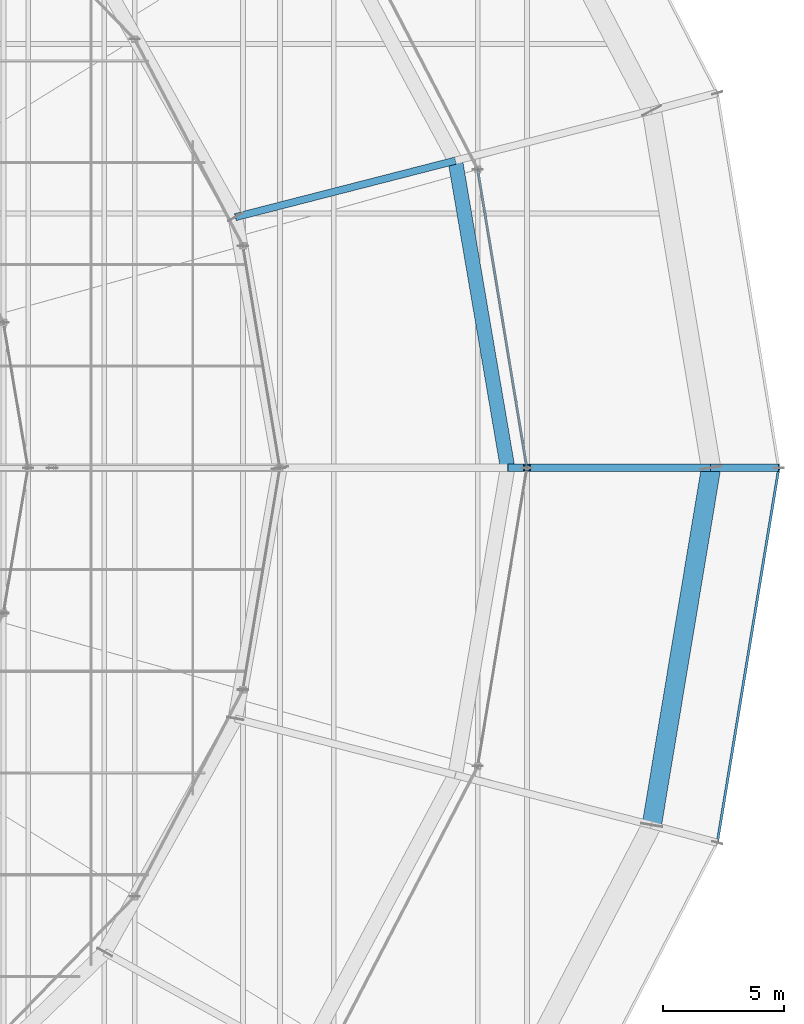
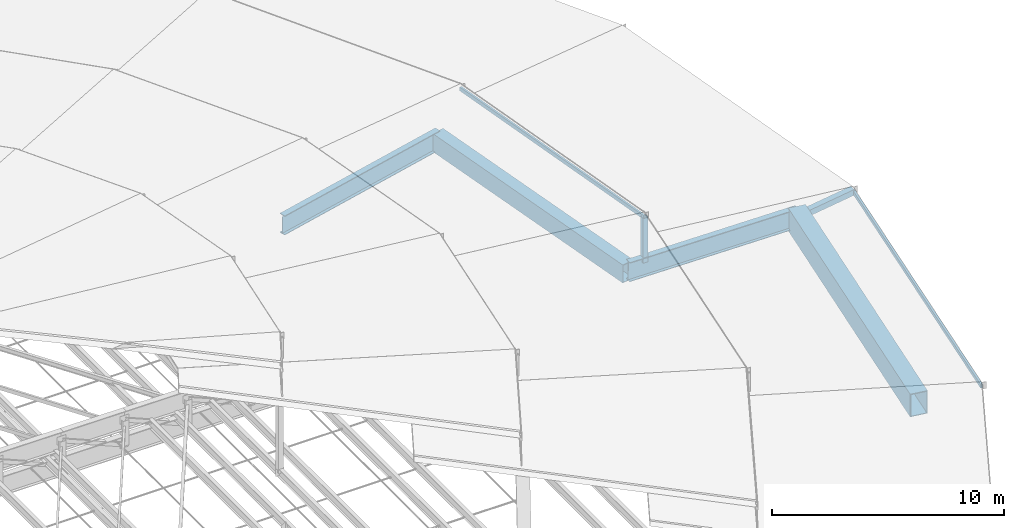
# One storey, part 132 of 184: 4 beams, 4 members.
"""IFC4 building model written with IfcOpenShell, lengths in metres."""

from ifc_helpers import new_model, si_unit, direction, frame, origin, origin_2d, place, context, subcontext, project, spatial, hollow_rectangle, i_section, extrude, material, material_profile, profile_set, type_object, element, save


model = new_model("IFC4")

# Units and contexts
model_context = context("Model", 3, precision=1e-05, world=origin(), true_north=direction((0.0, 1.0)))
body_context = subcontext(model_context, "Body", "Model", "MODEL_VIEW")
ifc_project = project(units=[si_unit("LENGTHUNIT", "METRE"), si_unit("AREAUNIT", "SQUARE_METRE"), si_unit("VOLUMEUNIT", "CUBIC_METRE"), si_unit("PLANEANGLEUNIT", "RADIAN"), si_unit("MASSUNIT", "GRAM", prefix="KILO")], contexts=[model_context])

# Site, building, storey
site_placement = place(None, origin())
site = spatial("IfcSite", under=ifc_project, at=site_placement, CompositionType="ELEMENT")
building_placement = place(site_placement, origin())
building = spatial("IfcBuilding", under=site, at=building_placement, Name="Kalgoora Escarpment Arena", CompositionType="ELEMENT")
storey_placement = place(building_placement, frame((0.0, 0.0, 27.60009765625)))
storey = spatial("IfcBuildingStorey", under=building, at=storey_placement, Name="Roof Level", CompositionType="ELEMENT", Elevation=27.60009765625)

# Beams
ifc_material_1 = material(Name="Structural steel Grade 350 (350 MPa)", Category="steel")
ifc_material_profile_1 = material_profile(ifc_material_1, hollow_rectangle(XDim=0.800048828125, YDim=1.199951171875, WallThickness=0.031982421875, at=origin_2d()))
ifc_profile_set_1 = profile_set([ifc_material_profile_1], Name="Structural steel Grade 350 (350 MPa)")
beam_type_1 = type_object("IfcBeamType", Name="BM-RING-BOX1200", PredefinedType="USERDEFINED", material=ifc_profile_set_1)
beam_1_placement = place(storey_placement, frame((161.75341796875, 49.247314453125, -1.4501953125), z_axis=(0.163602052226, 0.986526415514, 0.0), x_axis=(-0.986526415514, 0.163602052226, 0.0)))
element("IfcBeam", 1, at=beam_1_placement, inside=storey, type_object=beam_type_1, Name="Outer perimeter compression RING BEAM chord 24", ObjectType="GIRDER", PredefinedType="USERDEFINED", context=body_context, shape_type="SweptSolid", body=[
    extrude(hollow_rectangle(XDim=0.800048828125, YDim=1.199951171875, WallThickness=0.031982421875, at=origin_2d()), origin(), (0.0, 0.0, 1.0), 14.9541015625),
])
ifc_material_2 = material(Name="Structural steel Grade 350 (350 MPa)", Category="steel")
ifc_material_profile_2 = material_profile(ifc_material_2, hollow_rectangle(XDim=0.60009765625, YDim=0.949951171875, WallThickness=0.02490234375, at=origin_2d()))
ifc_profile_set_2 = profile_set([ifc_material_profile_2], Name="Structural steel Grade 350 (350 MPa)")
beam_type_2 = type_object("IfcBeamType", Name="BM-RING-BOX950", PredefinedType="USERDEFINED", material=ifc_profile_set_2)
beam_2_placement = place(storey_placement, frame((155.800048828125, 64.0, -1.35009765625), z_axis=(-0.167930802249, 0.985798785583, 0.0), x_axis=(-0.985798785583, -0.167930802249, 0.0)))
element("IfcBeam", 2, at=beam_2_placement, inside=storey, type_object=beam_type_2, Name="Concourse roof RING BEAM chord 01", ObjectType="GIRDER", PredefinedType="USERDEFINED", context=body_context, shape_type="SweptSolid", body=[
    extrude(hollow_rectangle(XDim=0.60009765625, YDim=0.949951171875, WallThickness=0.02490234375, at=origin_2d()), origin(), (0.0, 0.0, 1.0), 12.86474609375),
])
ifc_material_3 = material(Name="Structural steel Grade 350 (350 MPa)", Category="steel")
ifc_material_profile_3 = material_profile(ifc_material_3, i_section(OverallWidth=0.300048828125, OverallDepth=1.010009765625, WebThickness=0.01611328125, FlangeThickness=0.030029296875, at=origin_2d()))
ifc_profile_set_3 = profile_set([ifc_material_profile_3], Name="Structural steel Grade 350 (350 MPa)")
beam_type_3 = type_object("IfcBeamType", Name="BM-TRUSS-CHORD", PredefinedType="USERDEFINED", material=ifc_profile_set_3)
beam_3_placement = place(storey_placement, frame((164.199951171875, 64.0, -1.400146484375), z_axis=(-0.999929005763, 0.0, 0.011915680183), x_axis=(0.0, -1.0, 0.0)))
element("IfcBeam", 3, at=beam_3_placement, inside=storey, type_object=beam_type_3, Name="Outer radial petal support girder R01", ObjectType="GIRDER", PredefinedType="USERDEFINED", context=body_context, shape_type="SweptSolid", body=[
    extrude(i_section(OverallWidth=0.300048828125, OverallDepth=1.010009765625, WebThickness=0.01611328125, FlangeThickness=0.030029296875, at=origin_2d()), origin(), (0.0, 0.0, 1.0), 8.400390625),
])
beam_4_placement = place(storey_placement, frame((153.6396484375, 76.68212890625, -1.300048828125), z_axis=(-0.968576929059, -0.248485949991, 0.010652002258), x_axis=(0.248500048438, -0.9686318836, 0.0)))
element("IfcBeam", 4, at=beam_4_placement, inside=storey, type_object=beam_type_3, Name="Inner radial petal support girder R02", ObjectType="GIRDER", PredefinedType="USERDEFINED", context=body_context, shape_type="SweptSolid", body=[
    extrude(i_section(OverallWidth=0.300048828125, OverallDepth=1.010009765625, WebThickness=0.01611328125, FlangeThickness=0.030029296875, at=origin_2d()), origin(), (0.0, 0.0, 1.0), 9.374267578125),
])

# Members
ifc_material_4 = material(Name="Structural steel C450 (450 MPa)", Category="steel")
ifc_material_profile_4 = material_profile(ifc_material_4, hollow_rectangle(XDim=0.25, YDim=0.25, WallThickness=0.012451171875, at=origin_2d()))
ifc_profile_set_4 = profile_set([ifc_material_profile_4], Name="Structural steel C450 (450 MPa)")
member_type_1 = type_object("IfcMemberType", Name="MEM-PETAL-POST", PredefinedType="POST", material=ifc_profile_set_4)
member_1_placement = place(storey_placement, frame((156.60009765625, 64.0, -1.080078125), z_axis=(0.0, 0.0, 1.0), x_axis=(1.0, 0.0, 0.0)))
element("IfcMember", 5, at=member_1_placement, inside=storey, type_object=member_type_1, Name="Petal RP2 vertical support post S01", PredefinedType="POST", context=body_context, shape_type="SweptSolid", body=[
    extrude(hollow_rectangle(XDim=0.25, YDim=0.25, WallThickness=0.012451171875, at=origin_2d()), origin(), (0.0, 0.0, 1.0), 2.344970703125),
])
ifc_material_5 = material(Name="Structural steel C350 (350 MPa)", Category="steel")
ifc_material_profile_5 = material_profile(ifc_material_5, hollow_rectangle(XDim=0.10009765625, YDim=0.199951171875, WallThickness=0.009033203125, at=origin_2d()))
ifc_profile_set_5 = profile_set([ifc_material_profile_5], Name="Structural steel C350 (350 MPa)")
member_type_2 = type_object("IfcMemberType", Name="MEM-PURLIN-RHS", PredefinedType="PURLIN", material=ifc_profile_set_5)
member_2_placement = place(storey_placement, frame((164.4580078125, 48.522705078125, -1.02001953125), z_axis=(0.162068741154, 0.986779470368, 0.0), x_axis=(-0.986779470368, 0.162068741154, 0.0)))
element("IfcMember", 6, at=member_2_placement, inside=storey, type_object=member_type_2, Name="Petal RP1 eave support ring purlin S24", PredefinedType="PURLIN", context=body_context, shape_type="SweptSolid", body=[
    extrude(hollow_rectangle(XDim=0.10009765625, YDim=0.199951171875, WallThickness=0.009033203125, at=origin_2d()), origin(), (0.0, 0.0, 1.0), 15.6845703125),
])
member_3_placement = place(storey_placement, frame((156.60009765625, 64.0, 1.244873046875), z_axis=(-0.162661160172, 0.986681988774, 0.0), x_axis=(-0.986681988774, -0.162661160172, 0.0)))
element("IfcMember", 7, at=member_3_placement, inside=storey, type_object=member_type_2, Name="Petal RP2 eave support ring purlin S01", PredefinedType="PURLIN", context=body_context, shape_type="SweptSolid", body=[
    extrude(hollow_rectangle(XDim=0.10009765625, YDim=0.199951171875, WallThickness=0.009033203125, at=origin_2d()), origin(), (0.0, 0.0, 1.0), 12.486083984375),
])
ifc_material_6 = material(Name="Structural steel C450 (450 MPa)", Category="steel")
ifc_material_profile_6 = material_profile(ifc_material_6, hollow_rectangle(XDim=0.300048828125, YDim=0.300048828125, WallThickness=0.012451171875, at=origin_2d()))
ifc_profile_set_6 = profile_set([ifc_material_profile_6], Name="Structural steel C450 (450 MPa)")
member_type_3 = type_object("IfcMemberType", Name="MEM-TRUSS-POST", PredefinedType="POST", material=ifc_profile_set_6)
member_4_placement = place(storey_placement, frame((164.199951171875, 64.0, -1.400146484375), z_axis=(0.98994258731, 0.0, 0.141469692266), x_axis=(0.0, 1.0, 0.0)))
element("IfcMember", 8, at=member_4_placement, inside=storey, type_object=member_type_3, Name="Petal RP1 eave strut S01", PredefinedType="POST", context=body_context, shape_type="SweptSolid", body=[
    extrude(hollow_rectangle(XDim=0.300048828125, YDim=0.300048828125, WallThickness=0.012451171875, at=origin_2d()), origin(), (0.0, 0.0, 1.0), 2.82861328125),
])

save(model, "model.ifc")
